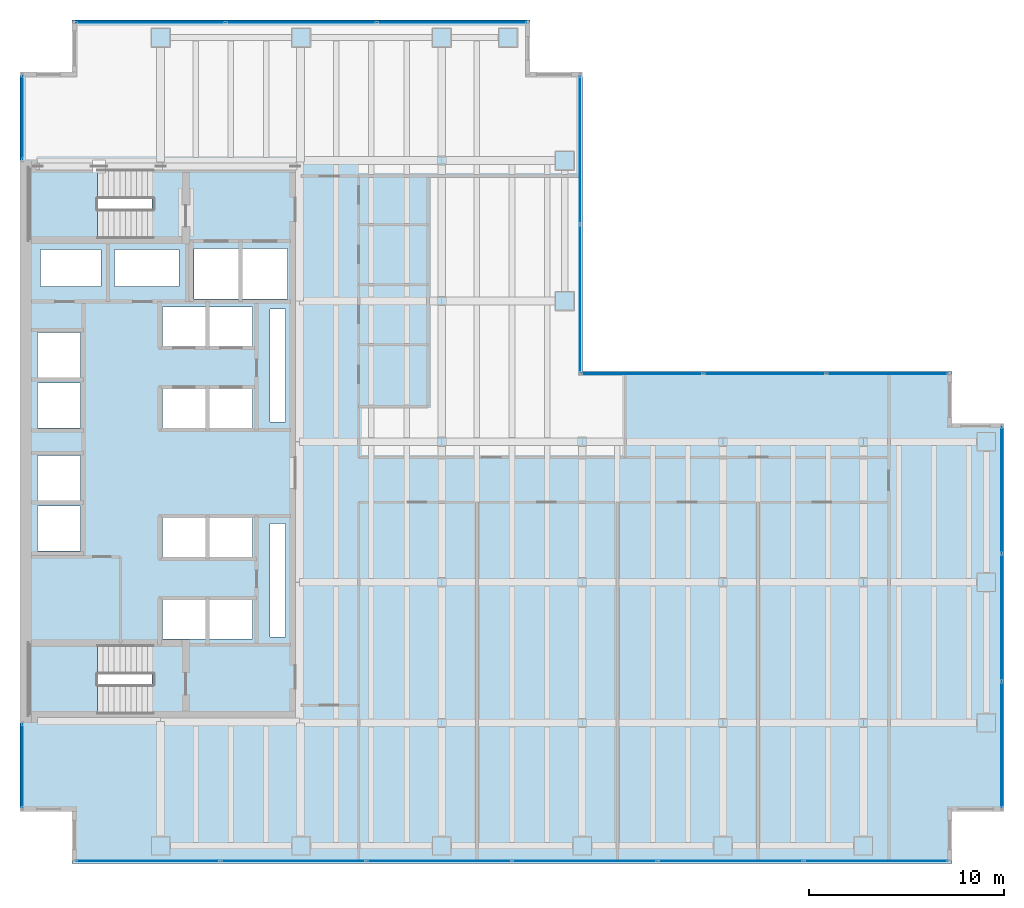
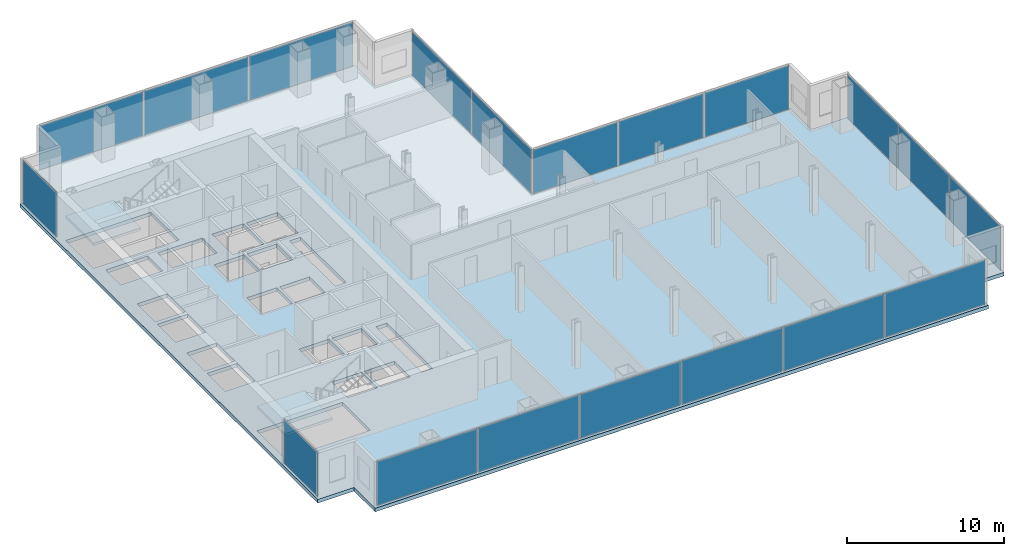
# One storey, part 19 of 23: 19 plates, 3 slabs, 20 openings, 9 elements without a shape of their own.
"""IFC4 building model written with IfcOpenShell, lengths in metres."""

from ifc_helpers import new_model, si_unit, direction, frame, origin, origin_2d, place, context, subcontext, project, spatial, polyline, rectangle, outline, extrude, material, layer, layer_set, type_object, element, aggregate, save


model = new_model("IFC4")

# Units and contexts
model_context = context("Model", 3, precision=1e-05, world=origin(), true_north=direction((0.0, 1.0)))
body_context = subcontext(model_context, "Body", "Model", "MODEL_VIEW")
ifc_project = project(units=[si_unit("LENGTHUNIT", "METRE"), si_unit("AREAUNIT", "SQUARE_METRE"), si_unit("VOLUMEUNIT", "CUBIC_METRE"), si_unit("PLANEANGLEUNIT", "RADIAN"), si_unit("MASSUNIT", "GRAM", prefix="KILO")], contexts=[model_context])

# Site, building, storey
site_placement = place(None, origin())
site = spatial("IfcSite", under=ifc_project, at=site_placement, CompositionType="ELEMENT")
building_placement = place(site_placement, origin())
building = spatial("IfcBuilding", under=site, at=building_placement, Name="Cobrela Telecom Tower", CompositionType="ELEMENT")
storey_placement = place(building_placement, frame((0.0, 0.0, 50.39990234375)))
storey = spatial("IfcBuildingStorey", under=building, at=storey_placement, Name="L12", CompositionType="ELEMENT", Elevation=50.39990234375)

# Curtain wall, plate
ifc_material_1 = material(Name="Anodized Bronze Aluminium 6063-T6", Category="aluminium")
curtain_wall_type = type_object("IfcCurtainWallType", Name="CW-SYS-DATA", PredefinedType="USERDEFINED", material=ifc_material_1)
curtain_wall_1_placement = place(storey_placement, origin())
curtain_wall_1 = element("IfcCurtainWall", 1, at=curtain_wall_1_placement, inside=storey, type_object=curtain_wall_type, Name="L12 Unitised Bronze Curtain Wall 03", ObjectType="UNITISED CURTAIN WALL", PredefinedType="USERDEFINED")
ifc_material_2 = material(Name="Solar-Control Bronze Low-E Glass", Category="glass")
ifc_layer_1 = layer(ifc_material_2, 0.0380859375)
ifc_layer_set_1 = layer_set([ifc_layer_1], Name="Solar-Control Bronze Low-E Glass")
plate_type = type_object("IfcPlateType", Name="CW-SYS-DATA-PNL", PredefinedType="CURTAIN_PANEL", material=ifc_layer_set_1)
plate_1_placement = place(storey_placement, frame((0.1201171875, 4.9951171875, 0.0751953125), z_axis=(0.0, 0.0, 1.0), x_axis=(0.0, 1.0, 0.0)))
plate_1 = element("IfcPlate", 2, at=plate_1_placement, type_object=plate_type, Name="CW-DATA panel 1.1", PredefinedType="CURTAIN_PANEL", context=body_context, shape_type="SweptSolid", body=[
    extrude(rectangle(XDim=4.25, YDim=0.0380859375, at=origin_2d()), origin(), (0.0, 0.0, 1.0), 3.419921875),
])
aggregate(curtain_wall_1, [plate_1])

curtain_wall_2_placement = place(storey_placement, origin())
curtain_wall_2 = element("IfcCurtainWall", 3, at=curtain_wall_2_placement, inside=storey, type_object=curtain_wall_type, Name="L12 Unitised Bronze Curtain Wall 04", ObjectType="UNITISED CURTAIN WALL", PredefinedType="USERDEFINED")
plate_2_placement = place(storey_placement, frame((0.1201171875, 38.205078125, 0.0751953125), z_axis=(0.0, 0.0, 1.0), x_axis=(0.0, 1.0, 0.0)))
plate_2 = element("IfcPlate", 4, at=plate_2_placement, type_object=plate_type, Name="CW-DATA panel 1.1", PredefinedType="CURTAIN_PANEL", context=body_context, shape_type="SweptSolid", body=[
    extrude(rectangle(XDim=4.25, YDim=0.0380859375, at=origin_2d()), origin(), (0.0, 0.0, 1.0), 3.419921875),
])
aggregate(curtain_wall_2, [plate_2])

# Curtain wall, plates
curtain_wall_3_placement = place(storey_placement, origin())
curtain_wall_3 = element("IfcCurtainWall", 5, at=curtain_wall_3_placement, inside=storey, type_object=curtain_wall_type, Name="L12 Unitised Bronze Curtain Wall 07", ObjectType="UNITISED CURTAIN WALL", PredefinedType="USERDEFINED")
plate_3_placement = place(storey_placement, frame((6.679931640625, 43.080078125, 0.0751953125), z_axis=(0.0, 0.0, 1.0), x_axis=(1.0, 0.0, 0.0)))
plate_3 = element("IfcPlate", 6, at=plate_3_placement, type_object=plate_type, Name="CW-DATA panel 1.1", PredefinedType="CURTAIN_PANEL", context=body_context, shape_type="SweptSolid", body=[
    extrude(rectangle(XDim=7.6201171875, YDim=0.0380859375, at=origin_2d()), origin(), (0.0, 0.0, 1.0), 3.419921875),
])
plate_4_placement = place(storey_placement, frame((14.39990234375, 43.080078125, 0.0751953125), z_axis=(0.0, 0.0, 1.0), x_axis=(1.0, 0.0, 0.0)))
plate_4 = element("IfcPlate", 7, at=plate_4_placement, type_object=plate_type, Name="CW-DATA panel 2.1", PredefinedType="CURTAIN_PANEL", context=body_context, shape_type="SweptSolid", body=[
    extrude(rectangle(XDim=7.659912109375, YDim=0.0380859375, at=origin_2d()), origin(), (0.0, 0.0, 1.0), 3.419921875),
])
plate_5_placement = place(storey_placement, frame((22.1201171875, 43.080078125, 0.0751953125), z_axis=(0.0, 0.0, 1.0), x_axis=(1.0, 0.0, 0.0)))
plate_5 = element("IfcPlate", 8, at=plate_5_placement, type_object=plate_type, Name="CW-DATA panel 3.1", PredefinedType="CURTAIN_PANEL", context=body_context, shape_type="SweptSolid", body=[
    extrude(rectangle(XDim=7.6201171875, YDim=0.0380859375, at=origin_2d()), origin(), (0.0, 0.0, 1.0), 3.419921875),
])
aggregate(curtain_wall_3, [plate_3, plate_4, plate_5])

curtain_wall_4_placement = place(storey_placement, origin())
curtain_wall_4 = element("IfcCurtainWall", 9, at=curtain_wall_4_placement, inside=storey, type_object=curtain_wall_type, Name="L12 Unitised Bronze Curtain Wall 10", ObjectType="UNITISED CURTAIN WALL", PredefinedType="USERDEFINED")
plate_6_placement = place(storey_placement, frame((28.679931640625, 36.5576171875, 0.0751953125), z_axis=(0.0, 0.0, 1.0), x_axis=(0.0, -1.0, 0.0)))
plate_6 = element("IfcPlate", 10, at=plate_6_placement, type_object=plate_type, Name="CW-DATA panel 1.1", PredefinedType="CURTAIN_PANEL", context=body_context, shape_type="SweptSolid", body=[
    extrude(rectangle(XDim=7.544921875, YDim=0.0380859375, at=origin_2d()), origin(), (0.0, 0.0, 1.0), 3.419921875),
])
plate_7_placement = place(storey_placement, frame((28.679931640625, 28.9326171875, 0.0751953125), z_axis=(0.0, 0.0, 1.0), x_axis=(0.0, -1.0, 0.0)))
plate_7 = element("IfcPlate", 11, at=plate_7_placement, type_object=plate_type, Name="CW-DATA panel 2.1", PredefinedType="CURTAIN_PANEL", context=body_context, shape_type="SweptSolid", body=[
    extrude(rectangle(XDim=7.544921875, YDim=0.0380859375, at=origin_2d()), origin(), (0.0, 0.0, 1.0), 3.419921875),
])
aggregate(curtain_wall_4, [plate_6, plate_7])

curtain_wall_5_placement = place(storey_placement, origin())
curtain_wall_5 = element("IfcCurtainWall", 12, at=curtain_wall_5_placement, inside=storey, type_object=curtain_wall_type, Name="L12 Unitised Bronze Curtain Wall 11", ObjectType="UNITISED CURTAIN WALL", PredefinedType="USERDEFINED")
plate_8_placement = place(storey_placement, frame((31.85498046875, 25.080078125, 0.0751953125), z_axis=(0.0, 0.0, 1.0), x_axis=(1.0, 0.0, 0.0)))
plate_8 = element("IfcPlate", 13, at=plate_8_placement, type_object=plate_type, Name="CW-DATA panel 1.1", PredefinedType="CURTAIN_PANEL", context=body_context, shape_type="SweptSolid", body=[
    extrude(rectangle(XDim=6.18994140625, YDim=0.0380859375, at=origin_2d()), origin(), (0.0, 0.0, 1.0), 3.419921875),
])
plate_9_placement = place(storey_placement, frame((38.14501953125, 25.080078125, 0.0751953125), z_axis=(0.0, 0.0, 1.0), x_axis=(1.0, 0.0, 0.0)))
plate_9 = element("IfcPlate", 14, at=plate_9_placement, type_object=plate_type, Name="CW-DATA panel 2.1", PredefinedType="CURTAIN_PANEL", context=body_context, shape_type="SweptSolid", body=[
    extrude(rectangle(XDim=6.22998046875, YDim=0.0380859375, at=origin_2d()), origin(), (0.0, 0.0, 1.0), 3.419921875),
])
plate_10_placement = place(storey_placement, frame((44.43505859375, 25.080078125, 0.0751953125), z_axis=(0.0, 0.0, 1.0), x_axis=(1.0, 0.0, 0.0)))
plate_10 = element("IfcPlate", 15, at=plate_10_placement, type_object=plate_type, Name="CW-DATA panel 3.1", PredefinedType="CURTAIN_PANEL", context=body_context, shape_type="SweptSolid", body=[
    extrude(rectangle(XDim=6.18994140625, YDim=0.0380859375, at=origin_2d()), origin(), (0.0, 0.0, 1.0), 3.419921875),
])
aggregate(curtain_wall_5, [plate_8, plate_9, plate_10])

curtain_wall_6_placement = place(storey_placement, origin())
curtain_wall_6 = element("IfcCurtainWall", 16, at=curtain_wall_6_placement, inside=storey, type_object=curtain_wall_type, Name="L12 Unitised Bronze Curtain Wall 14", ObjectType="UNITISED CURTAIN WALL", PredefinedType="USERDEFINED")
plate_11_placement = place(storey_placement, frame((50.280029296875, 19.1201171875, 0.0751953125), z_axis=(0.0, 0.0, 1.0), x_axis=(0.0, -1.0, 0.0)))
plate_11 = element("IfcPlate", 17, at=plate_11_placement, type_object=plate_type, Name="CW-DATA panel 1.1", PredefinedType="CURTAIN_PANEL", context=body_context, shape_type="SweptSolid", body=[
    extrude(rectangle(XDim=6.419921875, YDim=0.0380859375, at=origin_2d()), origin(), (0.0, 0.0, 1.0), 3.419921875),
])
plate_12_placement = place(storey_placement, frame((50.280029296875, 12.60009765625, 0.0751953125), z_axis=(0.0, 0.0, 1.0), x_axis=(0.0, -1.0, 0.0)))
plate_12 = element("IfcPlate", 18, at=plate_12_placement, type_object=plate_type, Name="CW-DATA panel 2.1", PredefinedType="CURTAIN_PANEL", context=body_context, shape_type="SweptSolid", body=[
    extrude(rectangle(XDim=6.4599609375, YDim=0.0380859375, at=origin_2d()), origin(), (0.0, 0.0, 1.0), 3.419921875),
])
plate_13_placement = place(storey_placement, frame((50.280029296875, 6.080078125, 0.0751953125), z_axis=(0.0, 0.0, 1.0), x_axis=(0.0, -1.0, 0.0)))
plate_13 = element("IfcPlate", 19, at=plate_13_placement, type_object=plate_type, Name="CW-DATA panel 3.1", PredefinedType="CURTAIN_PANEL", context=body_context, shape_type="SweptSolid", body=[
    extrude(rectangle(XDim=6.419921875, YDim=0.0380859375, at=origin_2d()), origin(), (0.0, 0.0, 1.0), 3.419921875),
])
aggregate(curtain_wall_6, [plate_11, plate_12, plate_13])

curtain_wall_7_placement = place(storey_placement, origin())
curtain_wall_7 = element("IfcCurtainWall", 20, at=curtain_wall_7_placement, inside=storey, type_object=curtain_wall_type, Name="L12 Unitised Bronze Curtain Wall 17", ObjectType="UNITISED CURTAIN WALL", PredefinedType="USERDEFINED")
plate_14_placement = place(storey_placement, frame((43.85498046875, 0.1201171875, 0.0751953125), z_axis=(0.0, 0.0, 1.0), x_axis=(-1.0, 0.0, 0.0)))
plate_14 = element("IfcPlate", 21, at=plate_14_placement, type_object=plate_type, Name="CW-DATA panel 1.1", PredefinedType="CURTAIN_PANEL", context=body_context, shape_type="SweptSolid", body=[
    extrude(rectangle(XDim=7.35009765625, YDim=0.0380859375, at=origin_2d()), origin(), (0.0, 0.0, 1.0), 3.419921875),
])
plate_15_placement = place(storey_placement, frame((36.405029296875, 0.1201171875, 0.0751953125), z_axis=(0.0, 0.0, 1.0), x_axis=(-1.0, 0.0, 0.0)))
plate_15 = element("IfcPlate", 22, at=plate_15_placement, type_object=plate_type, Name="CW-DATA panel 2.1", PredefinedType="CURTAIN_PANEL", context=body_context, shape_type="SweptSolid", body=[
    extrude(rectangle(XDim=7.389892578125, YDim=0.0380859375, at=origin_2d()), origin(), (0.0, 0.0, 1.0), 3.419921875),
])
plate_16_placement = place(storey_placement, frame((28.93505859375, 0.1201171875, 0.0751953125), z_axis=(0.0, 0.0, 1.0), x_axis=(-1.0, 0.0, 0.0)))
plate_16 = element("IfcPlate", 23, at=plate_16_placement, type_object=plate_type, Name="CW-DATA panel 3.1", PredefinedType="CURTAIN_PANEL", context=body_context, shape_type="SweptSolid", body=[
    extrude(rectangle(XDim=7.389892578125, YDim=0.0380859375, at=origin_2d()), origin(), (0.0, 0.0, 1.0), 3.419921875),
])
plate_17_placement = place(storey_placement, frame((21.465087890625, 0.1201171875, 0.0751953125), z_axis=(0.0, 0.0, 1.0), x_axis=(-1.0, 0.0, 0.0)))
plate_17 = element("IfcPlate", 24, at=plate_17_placement, type_object=plate_type, Name="CW-DATA panel 4.1", PredefinedType="CURTAIN_PANEL", context=body_context, shape_type="SweptSolid", body=[
    extrude(rectangle(XDim=7.389892578125, YDim=0.0380859375, at=origin_2d()), origin(), (0.0, 0.0, 1.0), 3.419921875),
])
plate_18_placement = place(storey_placement, frame((13.9951171875, 0.1201171875, 0.0751953125), z_axis=(0.0, 0.0, 1.0), x_axis=(-1.0, 0.0, 0.0)))
plate_18 = element("IfcPlate", 25, at=plate_18_placement, type_object=plate_type, Name="CW-DATA panel 5.1", PredefinedType="CURTAIN_PANEL", context=body_context, shape_type="SweptSolid", body=[
    extrude(rectangle(XDim=7.389892578125, YDim=0.0380859375, at=origin_2d()), origin(), (0.0, 0.0, 1.0), 3.419921875),
])
plate_19_placement = place(storey_placement, frame((6.544921875, 0.1201171875, 0.0751953125), z_axis=(0.0, 0.0, 1.0), x_axis=(-1.0, 0.0, 0.0)))
plate_19 = element("IfcPlate", 26, at=plate_19_placement, type_object=plate_type, Name="CW-DATA panel 6.1", PredefinedType="CURTAIN_PANEL", context=body_context, shape_type="SweptSolid", body=[
    extrude(rectangle(XDim=7.35009765625, YDim=0.0380859375, at=origin_2d()), origin(), (0.0, 0.0, 1.0), 3.419921875),
])
aggregate(curtain_wall_7, [plate_14, plate_15, plate_16, plate_17, plate_18, plate_19])

# Slab, openings
ifc_material_3 = material(Name="Concrete C40/50", Category="concrete")
ifc_layer_2 = layer(ifc_material_3, 0.280029296875)
ifc_layer_set_2 = layer_set([ifc_layer_2], Name="Concrete C40/50")
slab_type_1 = type_object("IfcSlabType", Name="SLAB-FLR-280", PredefinedType="FLOOR", material=ifc_layer_set_2)
slab_1_placement = place(storey_placement, frame((0.0, 0.0, -0.27978515625)))
slab_1 = element("IfcSlab", 27, at=slab_1_placement, inside=storey, type_object=slab_type_1, Name="L12 Structural Floor Slab", PredefinedType="FLOOR", context=body_context, shape_type="SweptSolid", body=[
    extrude(outline(polyline([(2.669921875, 0.0), (47.72998046875, 0.0), (47.72998046875, 2.669921875), (50.39990234375, 2.669921875), (50.39990234375, 22.530029296875), (47.72998046875, 22.530029296875), (47.72998046875, 25.199951171875), (28.800048828125, 25.199951171875), (28.800048828125, 40.530029296875), (26.1298828125, 40.530029296875), (26.1298828125, 43.199951171875), (2.669921875, 43.199951171875), (2.669921875, 40.530029296875), (0.0, 40.530029296875), (0.0, 2.669921875), (2.669921875, 2.669921875), (2.669921875, 0.0)])), origin(), (0.0, 0.0, 1.0), 0.27978515625),
])
opening_1_placement = place(slab_1_placement, frame((0.0, 0.0, -0.02001953125)))
element("IfcOpeningElement", 28, at=opening_1_placement, cuts=slab_1, Name="Slab Shaft Opening SLAB-L12-MAIN.1", PredefinedType="OPENING", context=body_context, shape_type="SweptSolid", body=[
    extrude(outline(polyline([(8.89990234375, 28.89990234375), (11.199951171875, 28.89990234375), (11.199951171875, 31.5), (8.89990234375, 31.5), (8.89990234375, 28.89990234375)])), origin(), (0.0, 0.0, 1.0), 0.31982421875),
])
opening_2_placement = place(slab_1_placement, frame((0.0, 0.0, -0.02001953125)))
element("IfcOpeningElement", 29, at=opening_2_placement, cuts=slab_1, Name="Slab Shaft Opening SLAB-L12-MAIN.2", PredefinedType="OPENING", context=body_context, shape_type="SweptSolid", body=[
    extrude(outline(polyline([(11.39990234375, 28.89990234375), (13.699951171875, 28.89990234375), (13.699951171875, 31.5), (11.39990234375, 31.5), (11.39990234375, 28.89990234375)])), origin(), (0.0, 0.0, 1.0), 0.31982421875),
])
opening_3_placement = place(slab_1_placement, frame((0.0, 0.0, -0.02001953125)))
element("IfcOpeningElement", 30, at=opening_3_placement, cuts=slab_1, Name="Slab Shaft Opening SLAB-L12-MAIN.3", PredefinedType="OPENING", context=body_context, shape_type="SweptSolid", body=[
    extrude(outline(polyline([(7.300048828125, 22.300048828125), (9.5, 22.300048828125), (9.5, 24.300048828125), (7.300048828125, 24.300048828125), (7.300048828125, 22.300048828125)])), origin(), (0.0, 0.0, 1.0), 0.31982421875),
])
opening_4_placement = place(slab_1_placement, frame((0.0, 0.0, -0.02001953125)))
element("IfcOpeningElement", 31, at=opening_4_placement, cuts=slab_1, Name="Slab Shaft Opening SLAB-L12-MAIN.4", PredefinedType="OPENING", context=body_context, shape_type="SweptSolid", body=[
    extrude(outline(polyline([(9.699951171875, 22.300048828125), (11.89990234375, 22.300048828125), (11.89990234375, 24.300048828125), (9.699951171875, 24.300048828125), (9.699951171875, 22.300048828125)])), origin(), (0.0, 0.0, 1.0), 0.31982421875),
])
opening_5_placement = place(slab_1_placement, frame((0.0, 0.0, -0.02001953125)))
element("IfcOpeningElement", 32, at=opening_5_placement, cuts=slab_1, Name="Slab Shaft Opening SLAB-L12-MAIN.5", PredefinedType="OPENING", context=body_context, shape_type="SweptSolid", body=[
    extrude(outline(polyline([(7.300048828125, 26.5), (9.5, 26.5), (9.5, 28.5), (7.300048828125, 28.5), (7.300048828125, 26.5)])), origin(), (0.0, 0.0, 1.0), 0.31982421875),
])
opening_6_placement = place(slab_1_placement, frame((0.0, 0.0, -0.02001953125)))
element("IfcOpeningElement", 33, at=opening_6_placement, cuts=slab_1, Name="Slab Shaft Opening SLAB-L12-MAIN.6", PredefinedType="OPENING", context=body_context, shape_type="SweptSolid", body=[
    extrude(outline(polyline([(9.699951171875, 26.5), (11.89990234375, 26.5), (11.89990234375, 28.5), (9.699951171875, 28.5), (9.699951171875, 26.5)])), origin(), (0.0, 0.0, 1.0), 0.31982421875),
])
opening_7_placement = place(slab_1_placement, frame((0.0, 0.0, -0.02001953125)))
element("IfcOpeningElement", 34, at=opening_7_placement, cuts=slab_1, Name="Slab Shaft Opening SLAB-L12-MAIN.7", PredefinedType="OPENING", context=body_context, shape_type="SweptSolid", body=[
    extrude(outline(polyline([(7.300048828125, 15.699951171875), (9.5, 15.699951171875), (9.5, 17.699951171875), (7.300048828125, 17.699951171875), (7.300048828125, 15.699951171875)])), origin(), (0.0, 0.0, 1.0), 0.31982421875),
])
opening_8_placement = place(slab_1_placement, frame((0.0, 0.0, -0.02001953125)))
element("IfcOpeningElement", 35, at=opening_8_placement, cuts=slab_1, Name="Slab Shaft Opening SLAB-L12-MAIN.8", PredefinedType="OPENING", context=body_context, shape_type="SweptSolid", body=[
    extrude(outline(polyline([(9.699951171875, 15.699951171875), (11.89990234375, 15.699951171875), (11.89990234375, 17.699951171875), (9.699951171875, 17.699951171875), (9.699951171875, 15.699951171875)])), origin(), (0.0, 0.0, 1.0), 0.31982421875),
])
opening_9_placement = place(slab_1_placement, frame((0.0, 0.0, -0.02001953125)))
element("IfcOpeningElement", 36, at=opening_9_placement, cuts=slab_1, Name="Slab Shaft Opening SLAB-L12-MAIN.9", PredefinedType="OPENING", context=body_context, shape_type="SweptSolid", body=[
    extrude(outline(polyline([(7.300048828125, 11.5), (9.5, 11.5), (9.5, 13.5), (7.300048828125, 13.5), (7.300048828125, 11.5)])), origin(), (0.0, 0.0, 1.0), 0.31982421875),
])
opening_10_placement = place(slab_1_placement, frame((0.0, 0.0, -0.02001953125)))
element("IfcOpeningElement", 37, at=opening_10_placement, cuts=slab_1, Name="Slab Shaft Opening SLAB-L12-MAIN.10", PredefinedType="OPENING", context=body_context, shape_type="SweptSolid", body=[
    extrude(outline(polyline([(9.699951171875, 11.5), (11.89990234375, 11.5), (11.89990234375, 13.5), (9.699951171875, 13.5), (9.699951171875, 11.5)])), origin(), (0.0, 0.0, 1.0), 0.31982421875),
])
opening_11_placement = place(slab_1_placement, frame((0.0, 0.0, -0.02001953125)))
element("IfcOpeningElement", 38, at=opening_11_placement, cuts=slab_1, Name="Slab Shaft Opening SLAB-L12-MAIN.11", PredefinedType="OPENING", context=body_context, shape_type="SweptSolid", body=[
    extrude(outline(polyline([(0.89990234375, 16.0), (3.10009765625, 16.0), (3.10009765625, 18.300048828125), (0.89990234375, 18.300048828125), (0.89990234375, 16.0)])), origin(), (0.0, 0.0, 1.0), 0.31982421875),
])
opening_12_placement = place(slab_1_placement, frame((0.0, 0.0, -0.02001953125)))
element("IfcOpeningElement", 39, at=opening_12_placement, cuts=slab_1, Name="Slab Shaft Opening SLAB-L12-MAIN.12", PredefinedType="OPENING", context=body_context, shape_type="SweptSolid", body=[
    extrude(outline(polyline([(0.89990234375, 18.60009765625), (3.10009765625, 18.60009765625), (3.10009765625, 20.89990234375), (0.89990234375, 20.89990234375), (0.89990234375, 18.60009765625)])), origin(), (0.0, 0.0, 1.0), 0.31982421875),
])
opening_13_placement = place(slab_1_placement, frame((0.0, 0.0, -0.02001953125)))
element("IfcOpeningElement", 40, at=opening_13_placement, cuts=slab_1, Name="Slab Shaft Opening SLAB-L12-MAIN.13", PredefinedType="OPENING", context=body_context, shape_type="SweptSolid", body=[
    extrude(outline(polyline([(0.89990234375, 22.300048828125), (3.10009765625, 22.300048828125), (3.10009765625, 24.60009765625), (0.89990234375, 24.60009765625), (0.89990234375, 22.300048828125)])), origin(), (0.0, 0.0, 1.0), 0.31982421875),
])
opening_14_placement = place(slab_1_placement, frame((0.0, 0.0, -0.02001953125)))
element("IfcOpeningElement", 41, at=opening_14_placement, cuts=slab_1, Name="Slab Shaft Opening SLAB-L12-MAIN.14", PredefinedType="OPENING", context=body_context, shape_type="SweptSolid", body=[
    extrude(outline(polyline([(0.89990234375, 24.89990234375), (3.10009765625, 24.89990234375), (3.10009765625, 27.199951171875), (0.89990234375, 27.199951171875), (0.89990234375, 24.89990234375)])), origin(), (0.0, 0.0, 1.0), 0.31982421875),
])
opening_15_placement = place(slab_1_placement, frame((0.0, 0.0, -0.02001953125)))
element("IfcOpeningElement", 42, at=opening_15_placement, cuts=slab_1, Name="Slab Shaft Opening SLAB-L12-MAIN.15", PredefinedType="OPENING", context=body_context, shape_type="SweptSolid", body=[
    extrude(outline(polyline([(1.050048828125, 29.550048828125), (4.14990234375, 29.550048828125), (4.14990234375, 31.449951171875), (1.050048828125, 31.449951171875), (1.050048828125, 29.550048828125)])), origin(), (0.0, 0.0, 1.0), 0.31982421875),
])
opening_16_placement = place(slab_1_placement, frame((0.0, 0.0, -0.02001953125)))
element("IfcOpeningElement", 43, at=opening_16_placement, cuts=slab_1, Name="Slab Shaft Opening SLAB-L12-MAIN.16", PredefinedType="OPENING", context=body_context, shape_type="SweptSolid", body=[
    extrude(outline(polyline([(4.85009765625, 29.550048828125), (8.14990234375, 29.550048828125), (8.14990234375, 31.449951171875), (4.85009765625, 31.449951171875), (4.85009765625, 29.550048828125)])), origin(), (0.0, 0.0, 1.0), 0.31982421875),
])
opening_17_placement = place(slab_1_placement, frame((0.0, 0.0, -0.02001953125)))
element("IfcOpeningElement", 44, at=opening_17_placement, cuts=slab_1, Name="Slab Shaft Opening SLAB-L12-MAIN.17", PredefinedType="OPENING", context=body_context, shape_type="SweptSolid", body=[
    extrude(outline(polyline([(12.800048828125, 22.60009765625), (13.60009765625, 22.60009765625), (13.60009765625, 28.39990234375), (12.800048828125, 28.39990234375), (12.800048828125, 22.60009765625)])), origin(), (0.0, 0.0, 1.0), 0.31982421875),
])
opening_18_placement = place(slab_1_placement, frame((0.0, 0.0, -0.02001953125)))
element("IfcOpeningElement", 45, at=opening_18_placement, cuts=slab_1, Name="Slab Shaft Opening SLAB-L12-MAIN.18", PredefinedType="OPENING", context=body_context, shape_type="SweptSolid", body=[
    extrude(outline(polyline([(12.800048828125, 11.60009765625), (13.60009765625, 11.60009765625), (13.60009765625, 17.39990234375), (12.800048828125, 17.39990234375), (12.800048828125, 11.60009765625)])), origin(), (0.0, 0.0, 1.0), 0.31982421875),
])
opening_19_placement = place(slab_1_placement, frame((0.0, 0.0, -0.02001953125)))
element("IfcOpeningElement", 46, at=opening_19_placement, cuts=slab_1, Name="Slab Shaft Opening SLAB-L12-MAIN.19", PredefinedType="OPENING", context=body_context, shape_type="SweptSolid", body=[
    extrude(outline(polyline([(6.7548828125, 35.550048828125), (0.47998046875, 35.550048828125), (0.47998046875, 32.0), (6.7548828125, 32.0), (6.7548828125, 35.550048828125)])), origin(), (0.0, 0.0, 1.0), 0.31982421875),
])
opening_20_placement = place(slab_1_placement, frame((0.0, 0.0, -0.02001953125)))
element("IfcOpeningElement", 47, at=opening_20_placement, cuts=slab_1, Name="Slab Shaft Opening SLAB-L12-MAIN.20", PredefinedType="OPENING", context=body_context, shape_type="SweptSolid", body=[
    extrude(outline(polyline([(6.7548828125, 11.199951171875), (0.47998046875, 11.199951171875), (0.47998046875, 7.64990234375), (6.7548828125, 7.64990234375), (6.7548828125, 11.199951171875)])), origin(), (0.0, 0.0, 1.0), 0.31982421875),
])

# Stair, slab
stair_type = type_object("IfcStairType", Name="STAIR-CORE", PredefinedType="HALF_TURN_STAIR", material=ifc_material_3)
stair_1_placement = place(storey_placement, origin())
stair_1 = element("IfcStair", 48, at=stair_1_placement, inside=storey, type_object=stair_type, Name="L12 Smokeproof Exit Stair ST1", PredefinedType="HALF_TURN_STAIR")
ifc_layer_3 = layer(ifc_material_3, 0.199951171875)
ifc_layer_set_3 = layer_set([ifc_layer_3], Name="Concrete C40/50")
slab_type_2 = type_object("IfcSlabType", Name="SLAB-LAND-200", PredefinedType="LANDING", material=ifc_layer_set_3)
slab_2_placement = place(storey_placement, frame((0.0, 0.0, 1.72509765625)))
slab_2 = element("IfcSlab", 49, at=slab_2_placement, type_object=slab_type_2, Name="ST1 landing 1", PredefinedType="LANDING", context=body_context, shape_type="SweptSolid", body=[
    extrude(outline(polyline([(3.969970703125, 35.550048828125), (0.47998046875, 35.550048828125), (0.47998046875, 32.0), (3.969970703125, 32.0), (3.969970703125, 35.550048828125)])), origin(), (0.0, 0.0, 1.0), 0.199951171875),
])
aggregate(stair_1, [slab_2])

stair_2_placement = place(storey_placement, origin())
stair_2 = element("IfcStair", 50, at=stair_2_placement, inside=storey, type_object=stair_type, Name="L12 Smokeproof Exit Stair ST2", PredefinedType="HALF_TURN_STAIR")
slab_3_placement = place(storey_placement, frame((0.0, 0.0, 1.72509765625)))
slab_3 = element("IfcSlab", 51, at=slab_3_placement, type_object=slab_type_2, Name="ST2 landing 1", PredefinedType="LANDING", context=body_context, shape_type="SweptSolid", body=[
    extrude(outline(polyline([(3.969970703125, 11.199951171875), (0.47998046875, 11.199951171875), (0.47998046875, 7.64990234375), (3.969970703125, 7.64990234375), (3.969970703125, 11.199951171875)])), origin(), (0.0, 0.0, 1.0), 0.199951171875),
])
aggregate(stair_2, [slab_3])

save(model, "model.ifc")
